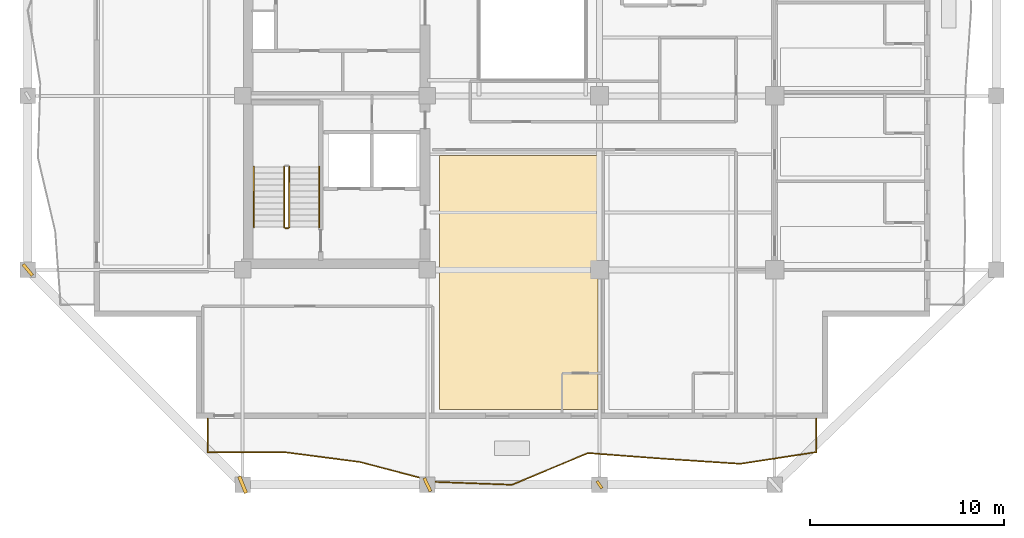
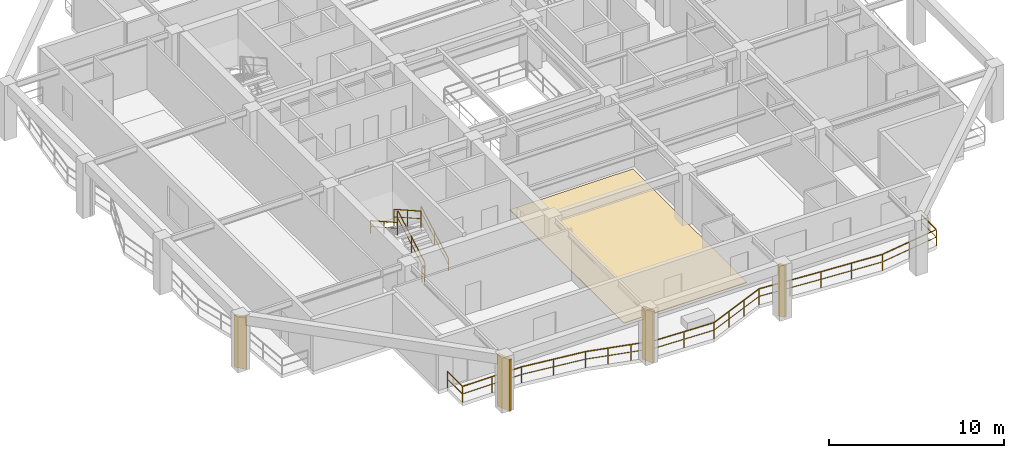
# One storey, part 8 of 13: 6 railings, 4 shading devices, 1 covering.
"""IFC4 building model written with IfcOpenShell, lengths in metres."""

from ifc_helpers import new_model, si_unit, direction, frame, origin, origin_2d, place, context, subcontext, project, spatial, polyline, rectangle, outline, extrude, material, layer, layer_set, type_object, element, save


model = new_model("IFC4")

# Units and contexts
model_context = context("Model", 3, precision=1e-05, world=origin(), true_north=direction((0.0, 1.0)))
body_context = subcontext(model_context, "Body", "Model", "MODEL_VIEW")
ifc_project = project(units=[si_unit("LENGTHUNIT", "METRE"), si_unit("AREAUNIT", "SQUARE_METRE"), si_unit("VOLUMEUNIT", "CUBIC_METRE"), si_unit("PLANEANGLEUNIT", "RADIAN"), si_unit("MASSUNIT", "GRAM", prefix="KILO")], contexts=[model_context])

# Site, building, storey
site_placement = place(None, origin())
site = spatial("IfcSite", under=ifc_project, at=site_placement, CompositionType="ELEMENT")
building_placement = place(site_placement, origin())
building = spatial("IfcBuilding", under=site, at=building_placement, Name="Kundavana Baori Tower", CompositionType="ELEMENT")
storey_placement = place(building_placement, frame((0.0, 0.0, 188.699951171875)))
storey = spatial("IfcBuildingStorey", under=building, at=storey_placement, Name="L46", CompositionType="ELEMENT", Elevation=188.699951171875)

# Covering
ifc_material_1 = material(Name="Honed Kota Stone and Terrazzo Flooring", Category="masonry")
ifc_layer = layer(ifc_material_1, 0.0400390625, Name="COV-FLR-TERR-40")
ifc_layer_set = layer_set([ifc_layer], Name="Honed Kota Stone and Terrazzo Flooring")
covering_type = type_object("IfcCoveringType", Name="COV-FLR-TERR-40", PredefinedType="FLOORING", material=ifc_layer_set)
covering_placement = place(storey_placement, origin())
element("IfcCovering", 1, at=covering_placement, inside=storey, type_object=covering_type, Name="L46 Room Finished Stone Flooring 2", PredefinedType="FLOORING", context=body_context, shape_type="SweptSolid", body=[
    extrude(outline(polyline([(25.580078125, 8.080078125), (33.719970703125, 8.080078125), (33.719970703125, 21.139892578125), (25.580078125, 21.139892578125), (25.580078125, 8.080078125)])), origin(), (0.0, 0.0, 1.0), 0.0400390625),
])

# Railings
ifc_material_2 = material(Name="Architectural Patinated Bronze Metalwork")
railing_type_1 = type_object("IfcRailingType", Name="RL-BAL-1150", PredefinedType="BALUSTRADE", material=ifc_material_2)
railing_1_placement = place(storey_placement, frame((44.949951171875, 7.60009765625, 0.0)))
element("IfcRailing", 2, at=railing_1_placement, inside=storey, type_object=railing_type_1, Name="L46 Loggia Balcony Balustrade S", PredefinedType="BALUSTRADE", context=body_context, shape_type="SweptSolid", body=[
    extrude(rectangle(XDim=0.048095703125, YDim=0.048095703125, at=origin_2d()), frame((0.0, 0.0, 1.1259765625), z_axis=(0.0, -1.0, 0.0), x_axis=(1.0, 0.0, 0.0)), (0.0, 0.0, 1.0), 1.72021484375),
    extrude(rectangle(XDim=0.03125, YDim=0.03125, at=origin_2d()), frame((0.0, 0.0, 0.597900390625), z_axis=(0.0, -1.0, 0.0), x_axis=(1.0, 0.0, 0.0)), (0.0, 0.0, 1.0), 1.72021484375),
    extrude(rectangle(XDim=0.048095703125, YDim=0.048095703125, at=origin_2d()), frame((0.0, -1.72021484375, 1.1259765625), z_axis=(-0.98833530179, -0.152293569252, 0.0), x_axis=(0.152293569252, -0.98833530179, 0.0)), (0.0, 0.0, 1.0), 3.9580078125),
    extrude(rectangle(XDim=0.03125, YDim=0.03125, at=origin_2d()), frame((0.0, -1.72021484375, 0.597900390625), z_axis=(-0.98833530179, -0.152293569252, 0.0), x_axis=(0.152293569252, -0.98833530179, 0.0)), (0.0, 0.0, 1.0), 3.9580078125),
    extrude(rectangle(XDim=0.048095703125, YDim=0.048095703125, at=origin_2d()), frame((-3.911865234375, -2.322998046875, 1.1259765625), z_axis=(-0.997852948888, 0.06549421651, 0.0), x_axis=(-0.06549421651, -0.997852948888, 0.0)), (0.0, 0.0, 1.0), 3.92138671875),
    extrude(rectangle(XDim=0.03125, YDim=0.03125, at=origin_2d()), frame((-3.911865234375, -2.322998046875, 0.597900390625), z_axis=(-0.997852948888, 0.06549421651, 0.0), x_axis=(-0.06549421651, -0.997852948888, 0.0)), (0.0, 0.0, 1.0), 3.92138671875),
    extrude(rectangle(XDim=0.048095703125, YDim=0.048095703125, at=origin_2d()), frame((-7.824951171875, -2.066162109375, 1.1259765625), z_axis=(-0.997147089618, 0.075482989248, 0.0), x_axis=(-0.075482989248, -0.997147089618, 0.0)), (0.0, 0.0, 1.0), 3.92333984375),
    extrude(rectangle(XDim=0.03125, YDim=0.03125, at=origin_2d()), frame((-7.824951171875, -2.066162109375, 0.597900390625), z_axis=(-0.997147089618, 0.075482989248, 0.0), x_axis=(-0.075482989248, -0.997147089618, 0.0)), (0.0, 0.0, 1.0), 3.92333984375),
    extrude(rectangle(XDim=0.048095703125, YDim=0.048095703125, at=origin_2d()), frame((-11.737060546875, -1.77001953125, 1.1259765625), z_axis=(-0.923095666334, -0.384570397711, 0.0), x_axis=(0.384570397711, -0.923095666334, 0.0)), (0.0, 0.0, 1.0), 4.23876953125),
    extrude(rectangle(XDim=0.03125, YDim=0.03125, at=origin_2d()), frame((-11.737060546875, -1.77001953125, 0.597900390625), z_axis=(-0.923095666334, -0.384570397711, 0.0), x_axis=(0.384570397711, -0.923095666334, 0.0)), (0.0, 0.0, 1.0), 4.23876953125),
    extrude(rectangle(XDim=0.048095703125, YDim=0.048095703125, at=origin_2d()), frame((-15.64990234375, -3.400146484375, 1.1259765625), z_axis=(-0.99930437184, 0.037293061306, 0.0), x_axis=(-0.037293061306, -0.99930437184, 0.0)), (0.0, 0.0, 1.0), 3.914794921875),
    extrude(rectangle(XDim=0.03125, YDim=0.03125, at=origin_2d()), frame((-15.64990234375, -3.400146484375, 0.597900390625), z_axis=(-0.99930437184, 0.037293061306, 0.0), x_axis=(-0.037293061306, -0.99930437184, 0.0)), (0.0, 0.0, 1.0), 3.914794921875),
    extrude(rectangle(XDim=0.048095703125, YDim=0.048095703125, at=origin_2d()), frame((-19.56201171875, -3.254150390625, 1.1259765625), z_axis=(-0.967350734529, 0.253441425987, 0.0), x_axis=(-0.253441425987, -0.967350734529, 0.0)), (0.0, 0.0, 1.0), 4.044921875),
    extrude(rectangle(XDim=0.03125, YDim=0.03125, at=origin_2d()), frame((-19.56201171875, -3.254150390625, 0.597900390625), z_axis=(-0.967350734529, 0.253441425987, 0.0), x_axis=(-0.253441425987, -0.967350734529, 0.0)), (0.0, 0.0, 1.0), 4.044921875),
    extrude(rectangle(XDim=0.048095703125, YDim=0.048095703125, at=origin_2d()), frame((-23.474853515625, -2.22900390625, 1.1259765625), z_axis=(-0.991684383869, 0.12869375583, 0.0), x_axis=(-0.12869375583, -0.991684383869, 0.0)), (0.0, 0.0, 1.0), 3.94580078125),
    extrude(rectangle(XDim=0.03125, YDim=0.03125, at=origin_2d()), frame((-23.474853515625, -2.22900390625, 0.597900390625), z_axis=(-0.991684383869, 0.12869375583, 0.0), x_axis=(-0.12869375583, -0.991684383869, 0.0)), (0.0, 0.0, 1.0), 3.94580078125),
    extrude(rectangle(XDim=0.048095703125, YDim=0.048095703125, at=origin_2d()), frame((-27.387939453125, -1.72119140625, 1.1259765625), z_axis=(-0.999999968844, 0.000249625554, 0.0), x_axis=(-0.000249625554, -0.999999968844, 0.0)), (0.0, 0.0, 1.0), 3.912109375),
    extrude(rectangle(XDim=0.03125, YDim=0.03125, at=origin_2d()), frame((-27.387939453125, -1.72119140625, 0.597900390625), z_axis=(-0.999999968844, 0.000249625554, 0.0), x_axis=(-0.000249625554, -0.999999968844, 0.0)), (0.0, 0.0, 1.0), 3.912109375),
    extrude(rectangle(XDim=0.048095703125, YDim=0.048095703125, at=origin_2d()), frame((-31.300048828125, -1.72021484375, 1.1259765625), z_axis=(0.0, 1.0, 0.0), x_axis=(-1.0, 0.0, 0.0)), (0.0, 0.0, 1.0), 1.72021484375),
    extrude(rectangle(XDim=0.03125, YDim=0.03125, at=origin_2d()), frame((-31.300048828125, -1.72021484375, 0.597900390625), z_axis=(0.0, 1.0, 0.0), x_axis=(-1.0, 0.0, 0.0)), (0.0, 0.0, 1.0), 1.72021484375),
    extrude(rectangle(XDim=0.0419921875, YDim=0.0419921875, at=origin_2d()), origin(), (0.0, 0.0, 1.0), 1.101806640625),
    extrude(rectangle(XDim=0.0419921875, YDim=0.0419921875, at=origin_2d()), frame((0.0, -1.72021484375, 0.0)), (0.0, 0.0, 1.0), 1.101806640625),
    extrude(rectangle(XDim=0.0419921875, YDim=0.0419921875, at=origin_2d()), frame((-1.9560546875, -2.021484375, 0.0)), (0.0, 0.0, 1.0), 1.101806640625),
    extrude(rectangle(XDim=0.0419921875, YDim=0.0419921875, at=origin_2d()), frame((-3.911865234375, -2.322998046875, 0.0)), (0.0, 0.0, 1.0), 1.101806640625),
    extrude(rectangle(XDim=0.0419921875, YDim=0.0419921875, at=origin_2d()), frame((-5.868408203125, -2.194580078125, 0.0)), (0.0, 0.0, 1.0), 1.101806640625),
    extrude(rectangle(XDim=0.0419921875, YDim=0.0419921875, at=origin_2d()), frame((-7.824951171875, -2.066162109375, 0.0)), (0.0, 0.0, 1.0), 1.101806640625),
    extrude(rectangle(XDim=0.0419921875, YDim=0.0419921875, at=origin_2d()), frame((-9.781005859375, -1.91796875, 0.0)), (0.0, 0.0, 1.0), 1.101806640625),
    extrude(rectangle(XDim=0.0419921875, YDim=0.0419921875, at=origin_2d()), frame((-11.737060546875, -1.77001953125, 0.0)), (0.0, 0.0, 1.0), 1.101806640625),
    extrude(rectangle(XDim=0.0419921875, YDim=0.0419921875, at=origin_2d()), frame((-13.041259765625, -2.3134765625, 0.0)), (0.0, 0.0, 1.0), 1.101806640625),
    extrude(rectangle(XDim=0.0419921875, YDim=0.0419921875, at=origin_2d()), frame((-14.345703125, -2.856689453125, 0.0)), (0.0, 0.0, 1.0), 1.101806640625),
    extrude(rectangle(XDim=0.0419921875, YDim=0.0419921875, at=origin_2d()), frame((-15.64990234375, -3.400146484375, 0.0)), (0.0, 0.0, 1.0), 1.101806640625),
    extrude(rectangle(XDim=0.0419921875, YDim=0.0419921875, at=origin_2d()), frame((-17.60595703125, -3.3271484375, 0.0)), (0.0, 0.0, 1.0), 1.101806640625),
    extrude(rectangle(XDim=0.0419921875, YDim=0.0419921875, at=origin_2d()), frame((-19.56201171875, -3.254150390625, 0.0)), (0.0, 0.0, 1.0), 1.101806640625),
    extrude(rectangle(XDim=0.0419921875, YDim=0.0419921875, at=origin_2d()), frame((-20.8662109375, -2.912353515625, 0.0)), (0.0, 0.0, 1.0), 1.101806640625),
    extrude(rectangle(XDim=0.0419921875, YDim=0.0419921875, at=origin_2d()), frame((-22.170654296875, -2.57080078125, 0.0)), (0.0, 0.0, 1.0), 1.101806640625),
    extrude(rectangle(XDim=0.0419921875, YDim=0.0419921875, at=origin_2d()), frame((-23.474853515625, -2.22900390625, 0.0)), (0.0, 0.0, 1.0), 1.101806640625),
    extrude(rectangle(XDim=0.0419921875, YDim=0.0419921875, at=origin_2d()), frame((-25.431396484375, -1.97509765625, 0.0)), (0.0, 0.0, 1.0), 1.101806640625),
    extrude(rectangle(XDim=0.0419921875, YDim=0.0419921875, at=origin_2d()), frame((-27.387939453125, -1.72119140625, 0.0)), (0.0, 0.0, 1.0), 1.101806640625),
    extrude(rectangle(XDim=0.0419921875, YDim=0.0419921875, at=origin_2d()), frame((-29.343994140625, -1.720703125, 0.0)), (0.0, 0.0, 1.0), 1.101806640625),
    extrude(rectangle(XDim=0.0419921875, YDim=0.0419921875, at=origin_2d()), frame((-31.300048828125, -1.72021484375, 0.0)), (0.0, 0.0, 1.0), 1.101806640625),
    extrude(rectangle(XDim=0.0419921875, YDim=0.0419921875, at=origin_2d()), frame((-31.300048828125, 0.0, 0.0)), (0.0, 0.0, 1.0), 1.101806640625),
])
ifc_material_3 = material(Name="Architectural Patinated Bronze Metalwork")
railing_type_2 = type_object("IfcRailingType", Name="RL-GRD-1150", PredefinedType="GUARDRAIL", material=ifc_material_3)
railing_2_placement = place(storey_placement, frame((17.840087890625, 17.449951171875, 0.175048828125)))
element("IfcRailing", 3, at=railing_2_placement, inside=storey, type_object=railing_type_2, Name="L46 ST1 stair guard 1", PredefinedType="GUARDRAIL", context=body_context, shape_type="SweptSolid", body=[
    extrude(rectangle(XDim=0.048095703125, YDim=0.048095703125, at=origin_2d()), frame((0.0, 0.0, 1.1259765625), z_axis=(0.0, 0.870830938388, 0.491582624537), x_axis=(-1.0, 0.0, 0.0)), (0.0, 0.0, 1.0), 3.559814453125),
    extrude(rectangle(XDim=0.03125, YDim=0.03125, at=origin_2d()), frame((0.0, 0.0, 0.597900390625), z_axis=(0.0, 0.870830938388, 0.491582624537), x_axis=(-1.0, 0.0, 0.0)), (0.0, 0.0, 1.0), 3.559814453125),
    extrude(rectangle(XDim=0.0419921875, YDim=0.0419921875, at=origin_2d()), origin(), (0.0, 0.0, 1.0), 1.101806640625),
    extrude(rectangle(XDim=0.0419921875, YDim=0.0419921875, at=origin_2d()), frame((0.0, 1.550048828125, 0.875)), (0.0, 0.0, 1.0), 1.101806640625),
    extrude(rectangle(XDim=0.0419921875, YDim=0.0419921875, at=origin_2d()), frame((0.0, 3.10009765625, 1.75)), (0.0, 0.0, 1.0), 1.101806640625),
])
railing_3_placement = place(storey_placement, frame((17.580078125, 20.550048828125, 2.10009765625)))
element("IfcRailing", 4, at=railing_3_placement, inside=storey, type_object=railing_type_2, Name="L46 ST1 stair guard 3", PredefinedType="GUARDRAIL", context=body_context, shape_type="SweptSolid", body=[
    extrude(rectangle(XDim=0.048095703125, YDim=0.048095703125, at=origin_2d()), frame((0.0, 0.0, 1.1259765625), z_axis=(0.0, -0.870830938388, 0.491582624537), x_axis=(1.0, 0.0, 0.0)), (0.0, 0.0, 1.0), 3.559814453125),
    extrude(rectangle(XDim=0.03125, YDim=0.03125, at=origin_2d()), frame((0.0, 0.0, 0.597900390625), z_axis=(0.0, -0.870830938388, 0.491582624537), x_axis=(1.0, 0.0, 0.0)), (0.0, 0.0, 1.0), 3.559814453125),
    extrude(rectangle(XDim=0.0419921875, YDim=0.0419921875, at=origin_2d()), origin(), (0.0, 0.0, 1.0), 1.101806640625),
    extrude(rectangle(XDim=0.0419921875, YDim=0.0419921875, at=origin_2d()), frame((0.0, -1.550048828125, 0.875)), (0.0, 0.0, 1.0), 1.101806640625),
    extrude(rectangle(XDim=0.0419921875, YDim=0.0419921875, at=origin_2d()), frame((0.0, -3.10009765625, 1.75)), (0.0, 0.0, 1.0), 1.101806640625),
])
railing_4_placement = place(storey_placement, frame((17.7900390625, 17.39990234375, 0.0)))
element("IfcRailing", 5, at=railing_4_placement, inside=storey, type_object=railing_type_2, Name="L46 ST1 stair guard 4", PredefinedType="GUARDRAIL", context=body_context, shape_type="SweptSolid", body=[
    extrude(rectangle(XDim=0.048095703125, YDim=0.048095703125, at=origin_2d()), frame((0.0, 0.0, 1.1259765625), z_axis=(-1.0, 0.0, 0.0), x_axis=(0.0, -1.0, 0.0)), (0.0, 0.0, 1.0), 0.16015625),
    extrude(rectangle(XDim=0.03125, YDim=0.03125, at=origin_2d()), frame((0.0, 0.0, 0.597900390625), z_axis=(-1.0, 0.0, 0.0), x_axis=(0.0, -1.0, 0.0)), (0.0, 0.0, 1.0), 0.16015625),
    extrude(rectangle(XDim=0.0419921875, YDim=0.0419921875, at=origin_2d()), origin(), (0.0, 0.0, 1.0), 1.101806640625),
    extrude(rectangle(XDim=0.0419921875, YDim=0.0419921875, at=origin_2d()), frame((-0.16015625, 0.0, 0.0)), (0.0, 0.0, 1.0), 1.101806640625),
])
ifc_material_4 = material(Name="Architectural Patinated Bronze Metalwork")
railing_type_3 = type_object("IfcRailingType", Name="RL-HND-920", PredefinedType="HANDRAIL", material=ifc_material_4)
railing_5_placement = place(storey_placement, frame((19.389892578125, 17.449951171875, 0.175048828125)))
element("IfcRailing", 6, at=railing_5_placement, inside=storey, type_object=railing_type_3, Name="L46 ST1 stair handrail 1", PredefinedType="HANDRAIL", context=body_context, shape_type="SweptSolid", body=[
    extrude(rectangle(XDim=0.048095703125, YDim=0.048095703125, at=origin_2d()), frame((0.0, 0.0, 0.8759765625), z_axis=(0.0, 0.870830938388, 0.491582624537), x_axis=(-1.0, 0.0, 0.0)), (0.0, 0.0, 1.0), 3.559814453125),
    extrude(rectangle(XDim=0.03125, YDim=0.03125, at=origin_2d()), frame((0.0, 0.0, 0.468017578125), z_axis=(0.0, 0.870830938388, 0.491582624537), x_axis=(-1.0, 0.0, 0.0)), (0.0, 0.0, 1.0), 3.559814453125),
    extrude(rectangle(XDim=0.0419921875, YDim=0.0419921875, at=origin_2d()), origin(), (0.0, 0.0, 1.0), 0.851806640625),
    extrude(rectangle(XDim=0.0419921875, YDim=0.0419921875, at=origin_2d()), frame((0.0, 1.550048828125, 0.875)), (0.0, 0.0, 1.0), 0.851806640625),
    extrude(rectangle(XDim=0.0419921875, YDim=0.0419921875, at=origin_2d()), frame((0.0, 3.10009765625, 1.75)), (0.0, 0.0, 1.0), 0.851806640625),
])
railing_6_placement = place(storey_placement, frame((16.030029296875, 20.550048828125, 2.10009765625)))
element("IfcRailing", 7, at=railing_6_placement, inside=storey, type_object=railing_type_3, Name="L46 ST1 stair handrail 2", PredefinedType="HANDRAIL", context=body_context, shape_type="SweptSolid", body=[
    extrude(rectangle(XDim=0.048095703125, YDim=0.048095703125, at=origin_2d()), frame((0.0, 0.0, 0.8759765625), z_axis=(0.0, -0.870830938388, 0.491582624537), x_axis=(1.0, 0.0, 0.0)), (0.0, 0.0, 1.0), 3.559814453125),
    extrude(rectangle(XDim=0.03125, YDim=0.03125, at=origin_2d()), frame((0.0, 0.0, 0.468017578125), z_axis=(0.0, -0.870830938388, 0.491582624537), x_axis=(1.0, 0.0, 0.0)), (0.0, 0.0, 1.0), 3.559814453125),
    extrude(rectangle(XDim=0.0419921875, YDim=0.0419921875, at=origin_2d()), origin(), (0.0, 0.0, 1.0), 0.851806640625),
    extrude(rectangle(XDim=0.0419921875, YDim=0.0419921875, at=origin_2d()), frame((0.0, -1.550048828125, 0.875)), (0.0, 0.0, 1.0), 0.851806640625),
    extrude(rectangle(XDim=0.0419921875, YDim=0.0419921875, at=origin_2d()), frame((0.0, -3.10009765625, 1.75)), (0.0, 0.0, 1.0), 0.851806640625),
])

# Shading devices
ifc_material_5 = material(Name="Red-Buff Dholpur Sandstone Cladding on Concrete C40/50", Category="masonry")
shading_device_type_1 = type_object("IfcShadingDeviceType", Name="SHD-FIN-750", PredefinedType="JALOUSIE", material=ifc_material_5)
for number, where, z_axis, x_axis, name in (
    (8, (24.949951171875, 4.199951171875, 0.0), (0.0, 0.0, 1.0), (0.90490135119, 0.425621362969, 0.0), "L46 Sweeping Dholpur Sandstone Facade Fin 2"),
    (9, (4.39990234375, 15.25, 0.0), (0.0, 0.0, 1.0), (0.768506917219, 0.639841478951, 0.0), "L46 Sweeping Dholpur Sandstone Facade Fin 5"),
):
    element("IfcShadingDevice", number, at=place(storey_placement, frame(where, z_axis=z_axis, x_axis=x_axis)), inside=storey, type_object=shading_device_type_1, Name=name, PredefinedType="JALOUSIE", context=body_context, shape_type="SweptSolid", body=[
        extrude(rectangle(XDim=0.159912109375, YDim=0.75, at=origin_2d()), origin(), (0.0, 0.0, 1.0), 3.60009765625),
    ])
ifc_material_6 = material(Name="Red-Buff Dholpur Sandstone Cladding on Concrete C40/50", Category="masonry")
shading_device_type_2 = type_object("IfcShadingDeviceType", Name="SHD-FIN-920", PredefinedType="JALOUSIE", material=ifc_material_6)
shading_device_1_placement = place(storey_placement, frame((15.449951171875, 4.199951171875, 0.0), z_axis=(0.0, 0.0, 1.0), x_axis=(0.926134141791, 0.377194315187, 0.0)))
element("IfcShadingDevice", 10, at=shading_device_1_placement, inside=storey, type_object=shading_device_type_2, Name="L46 Sweeping Dholpur Sandstone Facade Fin 1", PredefinedType="JALOUSIE", context=body_context, shape_type="SweptSolid", body=[
    extrude(rectangle(XDim=0.179931640625, YDim=0.919921875, at=origin_2d()), origin(), (0.0, 0.0, 1.0), 3.60009765625),
])
ifc_material_7 = material(Name="Architectural Patinated Bronze Metalwork")
shading_device_type_3 = type_object("IfcShadingDeviceType", Name="SHD-LOUV-450", PredefinedType="SHUTTER", material=ifc_material_7)
shading_device_2_placement = place(storey_placement, frame((33.800048828125, 4.199951171875, 0.0), z_axis=(0.0, 0.0, 1.0), x_axis=(0.824323851484, 0.566118528114, 0.0)))
element("IfcShadingDevice", 11, at=shading_device_2_placement, inside=storey, type_object=shading_device_type_3, Name="L46 Sweeping Dholpur Sandstone Facade Fin 3", PredefinedType="SHUTTER", context=body_context, shape_type="SweptSolid", body=[
    extrude(rectangle(XDim=0.139892578125, YDim=0.449951171875, at=origin_2d()), origin(), (0.0, 0.0, 1.0), 3.60009765625),
])

save(model, "model.ifc")
